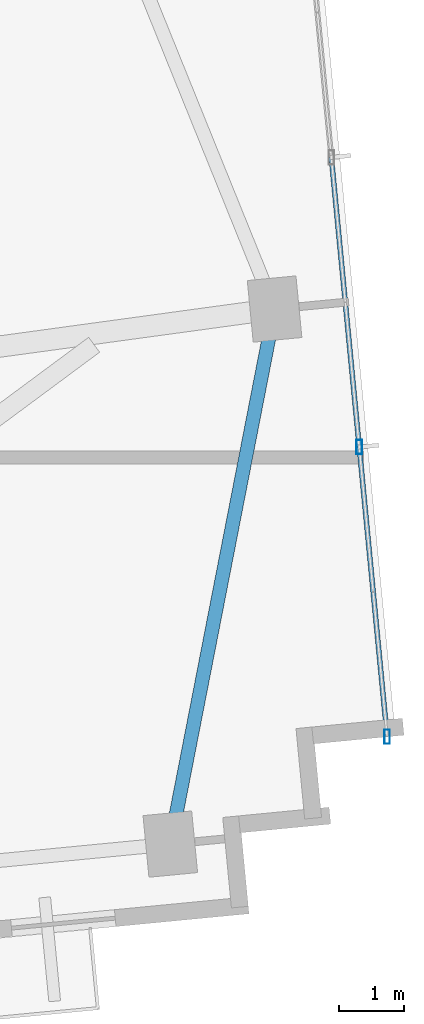
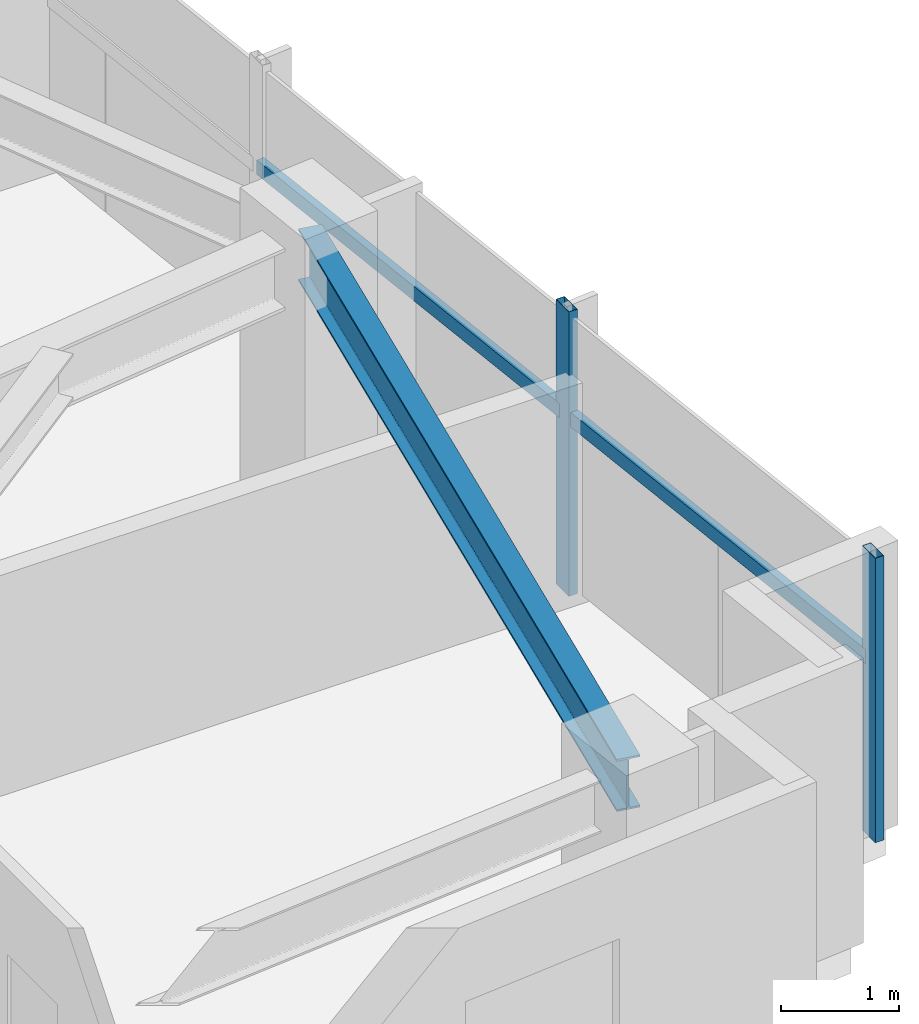
# One storey, part 10 of 18: 4 members, 1 beam, 1 element without a shape of its own.
"""IFC4 building model written with IfcOpenShell, lengths in metres."""

from ifc_helpers import new_model, si_unit, direction, frame, origin, origin_2d, place, context, subcontext, project, spatial, hollow_rectangle, i_section, extrude, source, transform, mapped, material, material_profile, profile_set, type_object, type_shapes, element, aggregate, save


model = new_model("IFC4")

# Units and contexts
model_context = context("Model", 3, precision=1e-05, world=origin(), true_north=direction((0.0, 1.0)))
body_context = subcontext(model_context, "Body", "Model", "MODEL_VIEW")
ifc_project = project(units=[si_unit("LENGTHUNIT", "METRE"), si_unit("AREAUNIT", "SQUARE_METRE"), si_unit("VOLUMEUNIT", "CUBIC_METRE"), si_unit("PLANEANGLEUNIT", "RADIAN"), si_unit("MASSUNIT", "GRAM", prefix="KILO")], contexts=[model_context])

# Site, building, storey
site_placement = place(None, origin())
site = spatial("IfcSite", under=ifc_project, at=site_placement, CompositionType="ELEMENT")
building_placement = place(site_placement, origin())
building = spatial("IfcBuilding", under=site, at=building_placement, Name="Astriad Promenade Condominiums", CompositionType="ELEMENT")
storey_placement = place(building_placement, frame((0.0, 0.0, 189.0)))
storey = spatial("IfcBuildingStorey", under=building, at=storey_placement, Name="L54", CompositionType="ELEMENT", Elevation=189.0)

# Beam
ifc_material_1 = material(Name="Steel ASTM A992 Grade 50", Category="steel")
ifc_material_profile_1 = material_profile(ifc_material_1, i_section(OverallWidth=0.210693359375, OverallDepth=0.53955078125, WebThickness=0.01171875, FlangeThickness=0.018798828125, FilletRadius=0.0166015625, at=origin_2d()), Name="W21X73")
ifc_profile_set_1 = profile_set([ifc_material_profile_1], Name="Steel ASTM A992 Grade 50")
beam_type = type_object("IfcBeamType", Name="STEEL SPANDREL BEAM W21X73", PredefinedType="SPANDREL", material=ifc_profile_set_1)
shared_shape_1 = source(origin(), body_context, "Body", "SweptSolid", [
    extrude(i_section(OverallWidth=0.210693359375, OverallDepth=0.53955078125, WebThickness=0.01171875, FlangeThickness=0.018798828125, FilletRadius=0.0166015625, at=origin_2d()), origin(), (0.0, 0.0, 1.0), 8.28564453125),
])
type_shapes(beam_type, [shared_shape_1])
beam_placement = place(storey_placement, frame((61.775634765625, 11.6552734375, 2.67041015625), z_axis=(0.191291582099, 0.981533254973, 0.0), x_axis=(-0.981533254973, 0.191291582099, 0.0)))
element("IfcBeam", 1, at=beam_placement, inside=storey, type_object=beam_type, Name="Perimeter Spandrel Beam SP-E1-L54", PredefinedType="SPANDREL", context=body_context, shape_type="MappedRepresentation", body=[
    mapped(shared_shape_1, transform((0.0, 0.0, 0.0), scale=1.0)),
])

# Curtain wall, members
ifc_material_2 = material(Name="Anodised aluminium Black Dark Glass Unitised", Category="aluminium")
curtain_wall_type = type_object("IfcCurtainWallType", Name="CW-B34-DARK", PredefinedType="USERDEFINED", material=ifc_material_2)
curtain_wall_placement = place(storey_placement, origin())
curtain_wall = element("IfcCurtainWall", 2, at=curtain_wall_placement, inside=storey, type_object=curtain_wall_type, Name="CW-L54-E", ObjectType="UNITISED_CURTAIN_WALL", PredefinedType="USERDEFINED")
ifc_material_3 = material(Name="Anodised aluminium 6063-T6 Black", Category="aluminium")
ifc_material_profile_2 = material_profile(ifc_material_3, hollow_rectangle(XDim=0.0849609375, YDim=0.219970703125, WallThickness=0.0048828125, at=origin_2d()), Name="ALU-MUL-85X220")
ifc_profile_set_2 = profile_set([ifc_material_profile_2], Name="Anodised aluminium 6063-T6 Black")
member_type_1 = type_object("IfcMemberType", Name="MUL-ALU-MUL-85X220", PredefinedType="MULLION", material=ifc_profile_set_2)
shared_shape_2 = source(origin(), body_context, "Body", "SweptSolid", [
    extrude(hollow_rectangle(XDim=0.0849609375, YDim=0.219970703125, WallThickness=0.0048828125, at=origin_2d()), origin(), (0.0, 0.0, 1.0), 2.93994140625),
])
type_shapes(member_type_1, [shared_shape_2])
member_1_placement = place(storey_placement, frame((64.667236328125, 17.70849609375, 0.0), z_axis=(0.0, 0.0, 1.0), x_axis=(1.0, 0.0, 0.0)))
member_1 = element("IfcMember", 3, at=member_1_placement, type_object=member_type_1, Name="CW-L54-E-MUL-02", PredefinedType="MULLION", context=body_context, shape_type="MappedRepresentation", body=[
    mapped(shared_shape_2, transform((0.0, 0.0, 0.0), scale=1.0)),
])
member_2_placement = place(storey_placement, frame((65.095458984375, 13.262451171875, 0.0), z_axis=(0.0, 0.0, 1.0), x_axis=(1.0, 0.0, 0.0)))
member_2 = element("IfcMember", 4, at=member_2_placement, type_object=member_type_1, Name="CW-L54-E-MUL-03", PredefinedType="MULLION", context=body_context, shape_type="MappedRepresentation", body=[
    mapped(shared_shape_2, transform((0.0, 0.0, 0.0), scale=1.0)),
])
ifc_material_profile_3 = material_profile(ifc_material_3, hollow_rectangle(XDim=0.074951171875, YDim=0.14990234375, WallThickness=0.004150390625, at=origin_2d()), Name="ALU-TRN-75X150")
ifc_profile_set_3 = profile_set([ifc_material_profile_3], Name="Anodised aluminium 6063-T6 Black")
member_type_2 = type_object("IfcMemberType", Name="TRN-ALU-TRN-75X150", PredefinedType="USERDEFINED", material=ifc_profile_set_3)
shared_shape_3 = source(origin(), body_context, "Body", "SweptSolid", [
    extrude(hollow_rectangle(XDim=0.074951171875, YDim=0.14990234375, WallThickness=0.004150390625, at=origin_2d()), origin(), (0.0, 0.0, 1.0), 4.466552734375),
])
type_shapes(member_type_2, [shared_shape_3])
member_3_placement = place(storey_placement, frame((64.239013671875, 22.154541015625, 1.82275390625), z_axis=(0.095871755514, -0.995393694221, 0.0), x_axis=(0.995393694221, 0.095871755514, 0.0)))
member_3 = element("IfcMember", 5, at=member_3_placement, type_object=member_type_2, Name="CW-L54-E-TRN-01-0", ObjectType="TRANSOM", PredefinedType="USERDEFINED", context=body_context, shape_type="MappedRepresentation", body=[
    mapped(shared_shape_3, transform((0.0, 0.0, 0.0), scale=1.0)),
])
member_4_placement = place(storey_placement, frame((64.667236328125, 17.70849609375, 1.82275390625), z_axis=(0.095871755514, -0.995393694221, 0.0), x_axis=(0.995393694221, 0.095871755514, 0.0)))
member_4 = element("IfcMember", 6, at=member_4_placement, type_object=member_type_2, Name="CW-L54-E-TRN-02-0", ObjectType="TRANSOM", PredefinedType="USERDEFINED", context=body_context, shape_type="MappedRepresentation", body=[
    mapped(shared_shape_3, transform((0.0, 0.0, 0.0), scale=1.0)),
])
aggregate(curtain_wall, [member_1, member_2, member_3, member_4])

save(model, "model.ifc")
